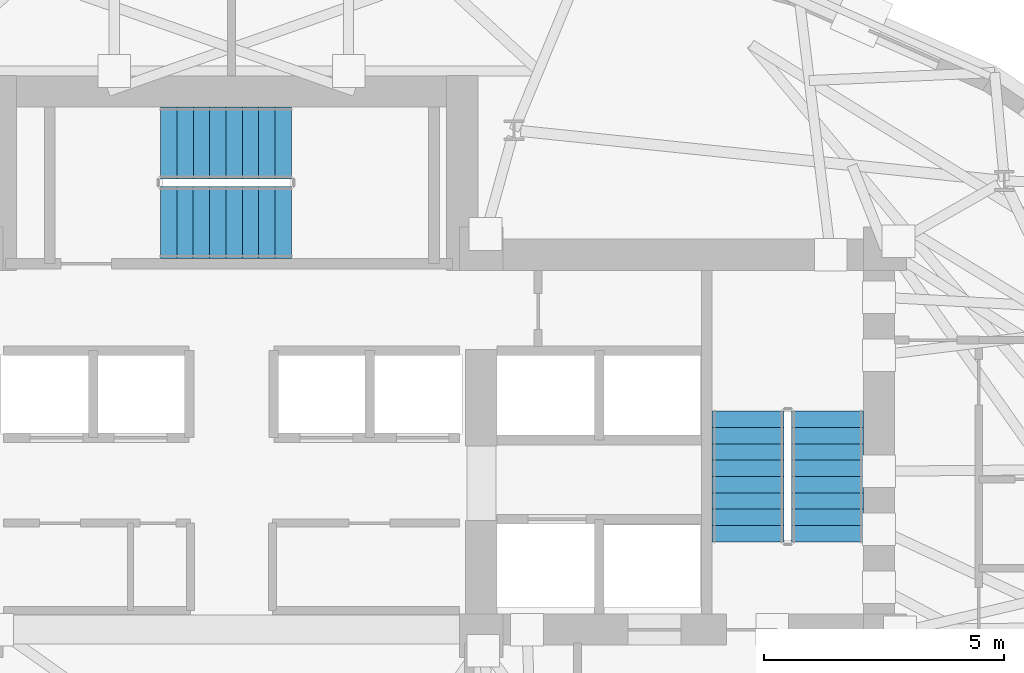
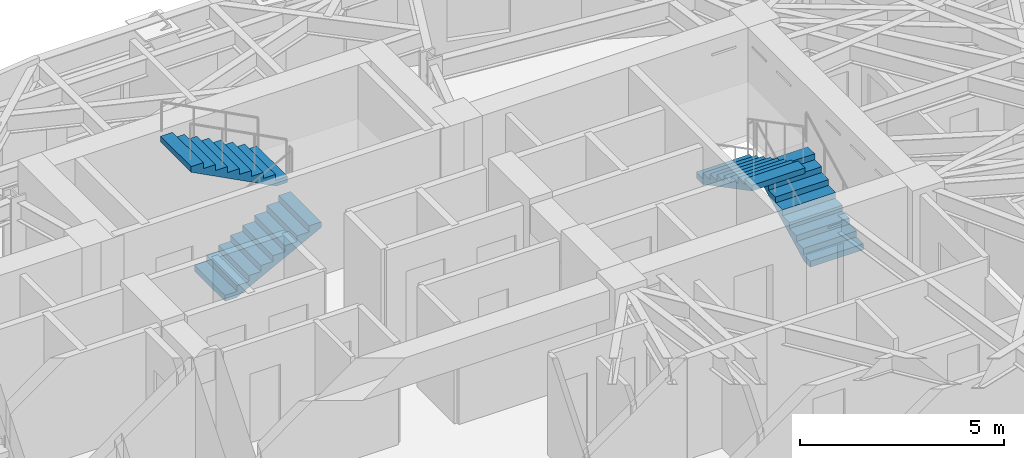
# One storey, part 11 of 15: 4 stair flights, 2 elements without a shape of their own.
"""IFC4 building model written with IfcOpenShell, lengths in metres."""

import ifcopenshell
import ifcopenshell.guid

model = None  # the IFC model being written
_history = None  # IfcOwnerHistory: only IFC2X3 demands one
_inside = {}  # id of a spatial element -> (the spatial element, [elements in it])
_under = {}  # id of a project, library or spatial element -> (it, [spatial elements below it])
_declared = {}  # id of a project -> (the project, [libraries it declares])
_typed = {}  # id of a type object -> (the type object, [elements of that type])
_made_of = {}  # id of a material, layer set ... -> (it, [elements and type objects made of it])


def new_model(schema):
    """Start an empty IFC model of exactly this schema.

    Asked for "IFC4X3", IfcOpenShell would pick the latest addendum, in which some entities
    have other attributes; the version numbers below select the first issue.
    IFC2X3 requires an IfcOwnerHistory on every rooted entity: one is made here for all.
    """
    global model, _history
    if schema == "IFC4X3":
        model = ifcopenshell.file(schema_version=(4, 3, 0, 0))
    else:
        model = ifcopenshell.file(schema=schema)
    _inside.clear()
    _under.clear()
    _declared.clear()
    _typed.clear()
    _made_of.clear()
    _history = None
    if model.schema == "IFC2X3":
        org = make("IfcOrganization", Name="unknown")
        user = make(
            "IfcPersonAndOrganization",
            ThePerson=make("IfcPerson", FamilyName="unknown"),
            TheOrganization=org,
        )
        app = make(
            "IfcApplication",
            ApplicationDeveloper=org,
            Version="unknown",
            ApplicationFullName="unknown",
            ApplicationIdentifier="unknown",
        )
        _history = make(
            "IfcOwnerHistory",
            OwningUser=user,
            OwningApplication=app,
            ChangeAction="ADDED",
            CreationDate=0,
        )
    return model


def make(cls, **values):
    """One entity of the class cls with the attributes given. An attribute that is None is left unset."""
    return model.create_entity(
        cls, **{name: value for name, value in values.items() if value is not None}
    )


def rooted(cls, **values):
    """An entity with a GlobalId (a new one), such as an element, a storey or a relation."""
    return make(cls, GlobalId=ifcopenshell.guid.new(), OwnerHistory=_history, **values)


def si_unit(unit_type, name, prefix=None):
    """IfcSIUnit, for example si_unit("LENGTHUNIT", "METRE", prefix="MILLI")."""
    return make("IfcSIUnit", UnitType=unit_type, Prefix=prefix, Name=name)


def assignment(units):
    """IfcUnitAssignment: the units of a project."""
    return None if units is None else make("IfcUnitAssignment", Units=units)


def point(xyz):
    """IfcCartesianPoint."""
    return None if xyz is None else make("IfcCartesianPoint", Coordinates=xyz)


def direction(xyz):
    """IfcDirection."""
    return None if xyz is None else make("IfcDirection", DirectionRatios=xyz)


def frame(location, z_axis=None, x_axis=None):
    """IfcAxis2Placement3D, a coordinate frame: its origin and axes. An axis left out is left unset."""
    return make(
        "IfcAxis2Placement3D",
        Location=point(location),
        Axis=direction(z_axis),
        RefDirection=direction(x_axis),
    )


def origin():
    """The frame at (0, 0, 0) with its axes left unset."""
    return frame((0.0, 0.0, 0.0))


def place(relative_to, where):
    """IfcLocalPlacement: puts the frame where relative to a parent placement (None: the world)."""
    return make(
        "IfcLocalPlacement", PlacementRelTo=relative_to, RelativePlacement=where
    )


def context(
    kind, dimensions, precision=None, world=None, true_north=None, identifier=None
):
    """IfcGeometricRepresentationContext, for example the 3D "Model" context."""
    return make(
        "IfcGeometricRepresentationContext",
        ContextIdentifier=identifier,
        ContextType=kind,
        CoordinateSpaceDimension=dimensions,
        Precision=precision,
        WorldCoordinateSystem=world,
        TrueNorth=true_north,
    )


def subcontext(parent, identifier, kind, view, scale=None):
    """IfcGeometricRepresentationSubContext, for example "Body" below "Model"."""
    return make(
        "IfcGeometricRepresentationSubContext",
        ContextIdentifier=identifier,
        ContextType=kind,
        ParentContext=parent,
        TargetScale=scale,
        TargetView=view,
    )


def project(units=None, contexts=None):
    """IfcProject with its units and contexts."""
    return rooted(
        "IfcProject",
        Name="project",
        RepresentationContexts=contexts,
        UnitsInContext=assignment(units),
    )


def spatial(cls, under=None, at=None, **own):
    """A site, building, storey or space (cls), placed at a placement, below another one or the project."""
    s = rooted(cls, ObjectPlacement=at, **own)
    if under is not None:
        _under.setdefault(under.id(), (under, []))[1].append(s)
    return s


def polyline(points):
    """IfcPolyline through the points."""
    return make("IfcPolyline", Points=[point(p) for p in points])


def outline(outer, holes=None, kind="AREA"):
    """IfcArbitraryClosedProfileDef: a profile drawn as a closed curve; with holes, ...WithVoids."""
    if holes is None:
        return make("IfcArbitraryClosedProfileDef", ProfileType=kind, OuterCurve=outer)
    return make(
        "IfcArbitraryProfileDefWithVoids",
        ProfileType=kind,
        OuterCurve=outer,
        InnerCurves=holes,
    )


def extrude(swept, where, along, depth):
    """IfcExtrudedAreaSolid: the profile swept, set in the frame where, extruded along a direction by depth."""
    return make(
        "IfcExtrudedAreaSolid",
        SweptArea=swept,
        Position=where,
        ExtrudedDirection=direction(along),
        Depth=depth,
    )


def shape(context_of_items, identifier, shape_type, items):
    """IfcShapeRepresentation: the items that make up one representation, for example the "Body"."""
    return make(
        "IfcShapeRepresentation",
        ContextOfItems=context_of_items,
        RepresentationIdentifier=identifier,
        RepresentationType=shape_type,
        Items=items,
    )


def material(Name=None, Category=None):
    """IfcMaterial."""
    return make("IfcMaterial", Name=Name, Category=Category)


def made_of(thing, what):
    """Note that an element or type object is made of a material, layer set ...; save() writes the relation."""
    if what is not None:
        _made_of.setdefault(what.id(), (what, []))[1].append(thing)
    return thing


def type_object(cls, material=None, **own):
    """A type object (cls), such as IfcWallType, which elements share."""
    return made_of(rooted(cls, **own), material)


def element(
    cls,
    number,
    at=None,
    inside=None,
    cuts=None,
    type_object=None,
    material=None,
    context=None,
    identifier="Body",
    shape_type=None,
    held_by="IfcProductDefinitionShape",
    body=None,
    shapes=None,
    **own,
):
    """One element of the class cls, such as IfcWall. Its Tag is "e" and its number.

    at: its placement. inside: the storey or other place that contains it. cuts: it is an
    opening in that element (IfcRelVoidsElement). A single representation is given by context,
    identifier, shape_type and body (its items); several are given by shapes. held_by: the class
    of the entity that holds the representations. save() writes the other relations.
    """
    e = rooted(cls, Tag="e%d" % number, ObjectPlacement=at, **own)
    if body is not None:
        shapes = [shape(context, identifier, shape_type, body)]
    if shapes is not None:
        e.Representation = make(held_by, Representations=shapes)
    if inside is not None:
        _inside.setdefault(inside.id(), (inside, []))[1].append(e)
    if cuts is not None:
        rooted(
            "IfcRelVoidsElement", RelatingBuildingElement=cuts, RelatedOpeningElement=e
        )
    if type_object is not None:
        _typed.setdefault(type_object.id(), (type_object, []))[1].append(e)
    return made_of(e, material)


def aggregate(whole, parts):
    """IfcRelAggregates: a whole, such as a stair, and the parts it consists of."""
    return rooted("IfcRelAggregates", RelatingObject=whole, RelatedObjects=parts)


def save(model, path):
    """Write the relations noted so far, then the file.

    IfcRelAggregates (storeys below a building ...), IfcRelContainedInSpatialStructure (elements
    in a storey), IfcRelDefinesByType, IfcRelAssociatesMaterial and IfcRelDeclares: one each for
    every whole, place, type object, material and project.
    """
    for whole, parts in _under.values():
        aggregate(whole, parts)
    for where, things in _inside.values():
        rooted(
            "IfcRelContainedInSpatialStructure",
            RelatedElements=things,
            RelatingStructure=where,
        )
    for kind, things in _typed.values():
        rooted("IfcRelDefinesByType", RelatedObjects=things, RelatingType=kind)
    for what, things in _made_of.values():
        rooted("IfcRelAssociatesMaterial", RelatedObjects=things, RelatingMaterial=what)
    for by, libraries in _declared.values():
        rooted("IfcRelDeclares", RelatingContext=by, RelatedDefinitions=libraries)
    model.write(path)


model = new_model("IFC4")

# Units and contexts
model_context = context("Model", 3, precision=1e-05, world=origin(), true_north=direction((0.0, 1.0)))
body_context = subcontext(model_context, "Body", "Model", "MODEL_VIEW")
ifc_project = project(units=[si_unit("LENGTHUNIT", "METRE"), si_unit("AREAUNIT", "SQUARE_METRE"), si_unit("VOLUMEUNIT", "CUBIC_METRE"), si_unit("PLANEANGLEUNIT", "RADIAN"), si_unit("MASSUNIT", "GRAM", prefix="KILO")], contexts=[model_context])

# Site, building, storey
site_placement = place(None, origin())
site = spatial("IfcSite", under=ifc_project, at=site_placement, CompositionType="ELEMENT")
building_placement = place(site_placement, origin())
building = spatial("IfcBuilding", under=site, at=building_placement, Name="Keldmark Tower", CompositionType="ELEMENT")
storey_placement = place(building_placement, frame((0.0, 0.0, 166.199951171875)))
storey = spatial("IfcBuildingStorey", under=building, at=storey_placement, Name="L45", CompositionType="ELEMENT", Elevation=166.199951171875)

# Stair, stair flights
ifc_material_1 = material(Name="Concrete C40/50", Category="concrete")
stair_type = type_object("IfcStairType", Name="Precast Concrete Core Exit Stair", PredefinedType="HALF_TURN_STAIR", material=ifc_material_1)
stair_1_placement = place(storey_placement, origin())
stair_1 = element("IfcStair", 1, at=stair_1_placement, inside=storey, type_object=stair_type, Name="L45 Exit Stair ST2", PredefinedType="HALF_TURN_STAIR")
ifc_material_2 = material(Name="Concrete C40/50", Category="concrete")
stair_flight_type = type_object("IfcStairFlightType", Name="Precast Concrete Stair Flight 1500 mm", PredefinedType="STRAIGHT", material=ifc_material_2)
stair_flight_1_placement = place(storey_placement, frame((12.39990234375, 3.35009765625, 0.0), z_axis=(0.0, 0.0, 1.0), x_axis=(0.0, 1.0, 0.0)))
stair_flight_1 = element("IfcStairFlight", 2, at=stair_flight_1_placement, type_object=stair_flight_type, Name="ST2 flight 1", NumberOfRisers=9, NumberOfTreads=8, PredefinedType="STRAIGHT", RiserHeight=0.177777778, TreadLength=0.34, context=body_context, shape_type="SweptSolid", body=[
    extrude(outline(polyline([(0.0, 0.0), (0.0, 0.177734375), (0.340087890625, 0.177734375), (0.340087890625, 0.35546875), (0.679931640625, 0.35546875), (0.679931640625, 0.533447265625), (1.02001953125, 0.533447265625), (1.02001953125, 0.711181640625), (1.360107421875, 0.711181640625), (1.360107421875, 0.888916015625), (1.699951171875, 0.888916015625), (1.699951171875, 1.066650390625), (2.0400390625, 1.066650390625), (2.0400390625, 1.244384765625), (2.3798828125, 1.244384765625), (2.3798828125, 1.422119140625), (2.719970703125, 1.422119140625), (2.719970703125, 1.60009765625), (2.719970703125, 1.253173828125), (0.323486328125, 0.0), (0.0, 0.0)])), frame((0.0, 0.75, 0.0), z_axis=(0.0, -1.0, 0.0), x_axis=(1.0, 0.0, 0.0)), (0.0, 0.0, 1.0), 1.5),
])
stair_flight_2_placement = place(storey_placement, frame((10.75, 6.070068359375, 1.60009765625), z_axis=(0.0, 0.0, 1.0), x_axis=(0.0, -1.0, 0.0)))
stair_flight_2 = element("IfcStairFlight", 3, at=stair_flight_2_placement, type_object=stair_flight_type, Name="ST2 flight 2", NumberOfRisers=9, NumberOfTreads=8, PredefinedType="STRAIGHT", RiserHeight=0.177777778, TreadLength=0.34, context=body_context, shape_type="SweptSolid", body=[
    extrude(outline(polyline([(0.0, 0.0), (0.0, 0.177734375), (0.340087890625, 0.177734375), (0.340087890625, 0.35546875), (0.679931640625, 0.35546875), (0.679931640625, 0.533447265625), (1.02001953125, 0.533447265625), (1.02001953125, 0.711181640625), (1.360107421875, 0.711181640625), (1.360107421875, 0.888916015625), (1.699951171875, 0.888916015625), (1.699951171875, 1.066650390625), (2.0400390625, 1.066650390625), (2.0400390625, 1.244384765625), (2.3798828125, 1.244384765625), (2.3798828125, 1.422119140625), (2.719970703125, 1.422119140625), (2.719970703125, 1.60009765625), (2.719970703125, 1.253173828125), (0.323486328125, 0.0), (0.0, 0.0)])), frame((0.0, 0.75, 0.0), z_axis=(0.0, -1.0, 0.0), x_axis=(1.0, 0.0, 0.0)), (0.0, 0.0, 1.0), 1.5),
])
aggregate(stair_1, [stair_flight_1, stair_flight_2])

stair_2_placement = place(storey_placement, origin())
stair_2 = element("IfcStair", 4, at=stair_2_placement, inside=storey, type_object=stair_type, Name="L45 Exit Stair ST3", PredefinedType="HALF_TURN_STAIR")
stair_flight_3_placement = place(storey_placement, frame((-1.47509765625, 10.0, 0.0), z_axis=(0.0, 0.0, 1.0), x_axis=(1.0, 0.0, 0.0)))
stair_flight_3 = element("IfcStairFlight", 5, at=stair_flight_3_placement, type_object=stair_flight_type, Name="ST3 flight 1", NumberOfRisers=9, NumberOfTreads=8, PredefinedType="STRAIGHT", RiserHeight=0.177777778, TreadLength=0.34, context=body_context, shape_type="SweptSolid", body=[
    extrude(outline(polyline([(0.0, 0.0), (0.0, 0.177734375), (0.340087890625, 0.177734375), (0.340087890625, 0.35546875), (0.679931640625, 0.35546875), (0.679931640625, 0.533447265625), (1.02001953125, 0.533447265625), (1.02001953125, 0.711181640625), (1.360107421875, 0.711181640625), (1.360107421875, 0.888916015625), (1.699951171875, 0.888916015625), (1.699951171875, 1.066650390625), (2.0400390625, 1.066650390625), (2.0400390625, 1.244384765625), (2.3798828125, 1.244384765625), (2.3798828125, 1.422119140625), (2.719970703125, 1.422119140625), (2.719970703125, 1.60009765625), (2.719970703125, 1.253173828125), (0.323486328125, 0.0), (0.0, 0.0)])), frame((0.0, 0.75, 0.0), z_axis=(0.0, -1.0, 0.0), x_axis=(1.0, 0.0, 0.0)), (0.0, 0.0, 1.0), 1.5),
])
stair_flight_4_placement = place(storey_placement, frame((1.2451171875, 11.64990234375, 1.60009765625), z_axis=(0.0, 0.0, 1.0), x_axis=(-1.0, 0.0, 0.0)))
stair_flight_4 = element("IfcStairFlight", 6, at=stair_flight_4_placement, type_object=stair_flight_type, Name="ST3 flight 2", NumberOfRisers=9, NumberOfTreads=8, PredefinedType="STRAIGHT", RiserHeight=0.177777778, TreadLength=0.34, context=body_context, shape_type="SweptSolid", body=[
    extrude(outline(polyline([(0.0, 0.0), (0.0, 0.177734375), (0.340087890625, 0.177734375), (0.340087890625, 0.35546875), (0.679931640625, 0.35546875), (0.679931640625, 0.533447265625), (1.02001953125, 0.533447265625), (1.02001953125, 0.711181640625), (1.360107421875, 0.711181640625), (1.360107421875, 0.888916015625), (1.699951171875, 0.888916015625), (1.699951171875, 1.066650390625), (2.0400390625, 1.066650390625), (2.0400390625, 1.244384765625), (2.3798828125, 1.244384765625), (2.3798828125, 1.422119140625), (2.719970703125, 1.422119140625), (2.719970703125, 1.60009765625), (2.719970703125, 1.253173828125), (0.323486328125, 0.0), (0.0, 0.0)])), frame((0.0, 0.75, 0.0), z_axis=(0.0, -1.0, 0.0), x_axis=(1.0, 0.0, 0.0)), (0.0, 0.0, 1.0), 1.5),
])
aggregate(stair_2, [stair_flight_3, stair_flight_4])

save(model, "model.ifc")
